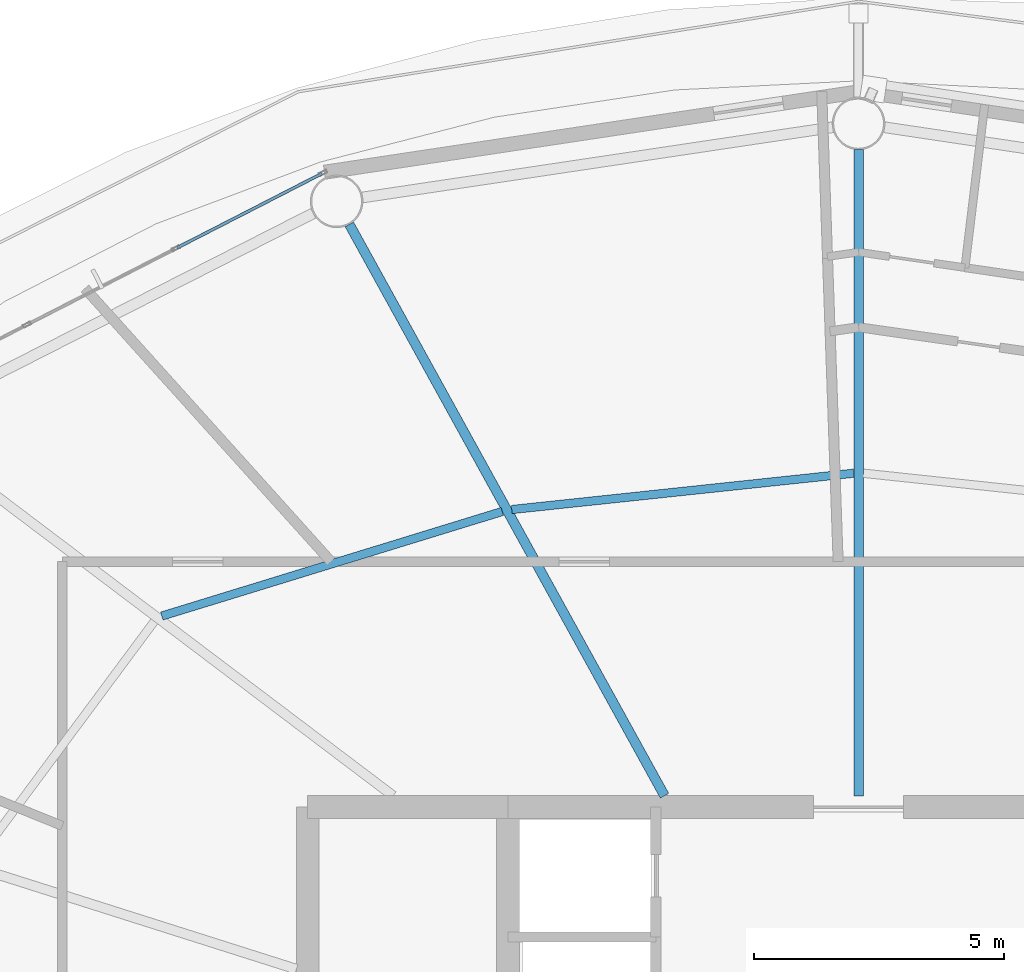
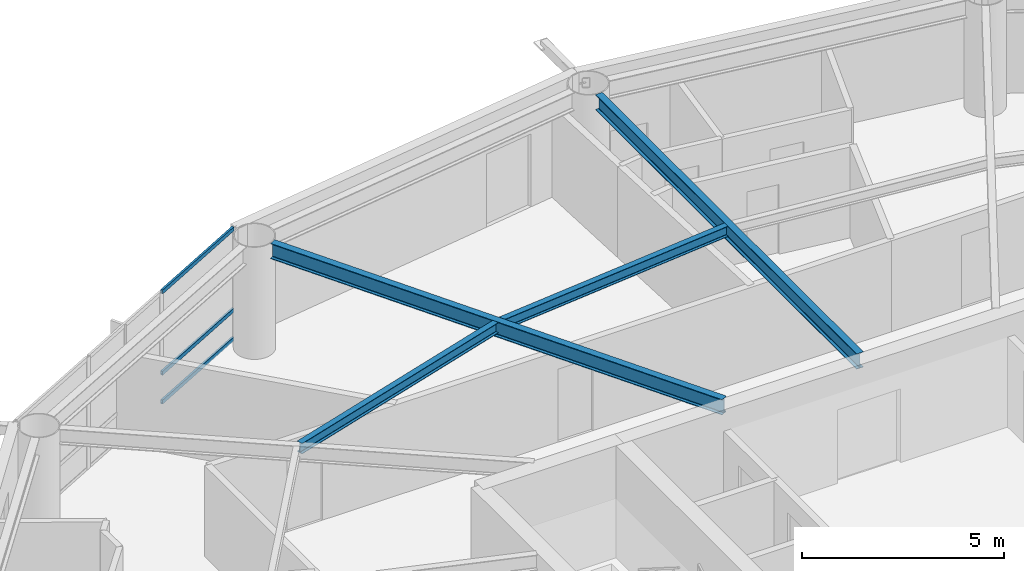
# One storey, part 12 of 30: 4 beams, 3 members, 1 element without a shape of its own.
"""IFC4 building model written with IfcOpenShell, lengths in metres."""

from ifc_helpers import new_model, si_unit, direction, frame, origin, origin_2d, place, context, subcontext, project, spatial, hollow_rectangle, i_section, extrude, material, layer, layer_set, material_profile, profile_set, type_object, element, aggregate, save


model = new_model("IFC4")

# Units and contexts
model_context = context("Model", 3, precision=1e-05, world=origin(), true_north=direction((0.0, 1.0)))
body_context = subcontext(model_context, "Body", "Model", "MODEL_VIEW")
ifc_project = project(units=[si_unit("LENGTHUNIT", "METRE"), si_unit("AREAUNIT", "SQUARE_METRE"), si_unit("VOLUMEUNIT", "CUBIC_METRE"), si_unit("PLANEANGLEUNIT", "RADIAN"), si_unit("MASSUNIT", "GRAM", prefix="KILO")], contexts=[model_context])

# Site, building, storey
site_placement = place(None, origin())
site = spatial("IfcSite", under=ifc_project, at=site_placement, CompositionType="ELEMENT")
building_placement = place(site_placement, origin())
building = spatial("IfcBuilding", under=site, at=building_placement, Name="Sarneth Arch Tower", CompositionType="ELEMENT")
storey_placement = place(building_placement, frame((0.0, 0.0, 161.39990234375)))
storey = spatial("IfcBuildingStorey", under=building, at=storey_placement, Name="L40", CompositionType="ELEMENT", Elevation=161.39990234375)

# Beams
ifc_material_1 = material(Name="Steel S355", Category="steel")
ifc_material_profile_1 = material_profile(ifc_material_1, i_section(OverallWidth=0.1669921875, OverallDepth=0.31689453125, WebThickness=0.007568359375, FlangeThickness=0.01318359375, FilletRadius=0.012939453125, at=origin_2d()), Name="W310x52")
ifc_profile_set_1 = profile_set([ifc_material_profile_1], Name="Steel S355")
beam_type_1 = type_object("IfcBeamType", Name="BM-JOIST-310B", PredefinedType="JOIST", material=ifc_profile_set_1)
beam_1_placement = place(storey_placement, frame((47.904052734375, 55.46484375, 3.2216796875), z_axis=(-0.994407831942, -0.105608066799, 0.0), x_axis=(0.105608066799, -0.994407831942, 0.0)))
element("IfcBeam", 1, at=beam_1_placement, inside=storey, type_object=beam_type_1, Name="L40 Secondary floor joist 05", PredefinedType="JOIST", context=body_context, shape_type="SweptSolid", body=[
    extrude(i_section(OverallWidth=0.1669921875, OverallDepth=0.31689453125, WebThickness=0.007568359375, FlangeThickness=0.01318359375, FilletRadius=0.012939453125, at=origin_2d()), origin(), (0.0, 0.0, 1.0), 6.8681640625),
])
beam_2_placement = place(storey_placement, frame((40.885986328125, 54.700927734375, 3.2216796875), z_axis=(-0.955929549608, -0.293596144707, 0.0), x_axis=(0.293596144707, -0.955929549608, 0.0)))
element("IfcBeam", 2, at=beam_2_placement, inside=storey, type_object=beam_type_1, Name="L40 Secondary floor joist 06", PredefinedType="JOIST", context=body_context, shape_type="SweptSolid", body=[
    extrude(i_section(OverallWidth=0.1669921875, OverallDepth=0.31689453125, WebThickness=0.007568359375, FlangeThickness=0.01318359375, FilletRadius=0.012939453125, at=origin_2d()), origin(), (0.0, 0.0, 1.0), 7.1123046875),
])
ifc_material_2 = material(Name="Steel S355", Category="steel")
ifc_material_profile_2 = material_profile(ifc_material_2, i_section(OverallWidth=0.193115234375, OverallDepth=0.466064453125, WebThickness=0.011474609375, FlangeThickness=0.01904296875, FilletRadius=0.01806640625, at=origin_2d()), Name="W460x97")
ifc_profile_set_2 = profile_set([ifc_material_profile_2], Name="Steel S355")
beam_type_2 = type_object("IfcBeamType", Name="BM-RAD-460C", PredefinedType="BEAM", material=ifc_profile_set_2)
beam_3_placement = place(storey_placement, frame((48.0, 49.02490234375, 3.147216796875), z_axis=(0.0, 1.0, 0.0), x_axis=(-1.0, 0.0, 0.0)))
element("IfcBeam", 3, at=beam_3_placement, inside=storey, type_object=beam_type_2, Name="L40 Radial floor girder 05", PredefinedType="BEAM", context=body_context, shape_type="SweptSolid", body=[
    extrude(i_section(OverallWidth=0.193115234375, OverallDepth=0.466064453125, WebThickness=0.011474609375, FlangeThickness=0.01904296875, FilletRadius=0.01806640625, at=origin_2d()), origin(), (0.0, 0.0, 1.0), 12.900146484375),
])
beam_4_placement = place(storey_placement, frame((44.125, 49.02490234375, 3.147216796875), z_axis=(-0.483004525121, 0.87561785541, 0.0), x_axis=(-0.87561785541, -0.483004525121, 0.0)))
element("IfcBeam", 4, at=beam_4_placement, inside=storey, type_object=beam_type_2, Name="L40 Radial floor girder 06", PredefinedType="BEAM", context=body_context, shape_type="SweptSolid", body=[
    extrude(i_section(OverallWidth=0.193115234375, OverallDepth=0.466064453125, WebThickness=0.011474609375, FlangeThickness=0.01904296875, FilletRadius=0.01806640625, at=origin_2d()), origin(), (0.0, 0.0, 1.0), 13.029296875),
])

# Curtain wall, members
ifc_material_3 = material(Name="Anodised aluminium Type AA25 and solar-control low-e laminated IGU", Category="aluminium")
ifc_layer = layer(ifc_material_3, 0.169921875)
ifc_layer_set = layer_set([ifc_layer], Name="Anodised aluminium Type AA25 and solar-control low-e laminated IGU")
curtain_wall_type = type_object("IfcCurtainWallType", Name="CW-RES-MID", PredefinedType="NOTDEFINED", material=ifc_layer_set)
curtain_wall_placement = place(storey_placement, origin())
curtain_wall = element("IfcCurtainWall", 5, at=curtain_wall_placement, inside=storey, type_object=curtain_wall_type, Name="L40 Unitised curtain wall facet 06", PredefinedType="NOTDEFINED")
ifc_material_4 = material(Name="Anodised Aluminium 6063-T6", Category="aluminium")
ifc_material_profile_3 = material_profile(ifc_material_4, hollow_rectangle(XDim=0.06005859375, YDim=0.1201171875, WallThickness=0.00390625, at=origin_2d()), Name="AL-TRAN-120x60x4")
ifc_profile_set_3 = profile_set([ifc_material_profile_3], Name="Anodised Aluminium 6063-T6")
member_type = type_object("IfcMemberType", Name="CW-TRANSOM", PredefinedType="USERDEFINED", material=ifc_profile_set_3)
member_1_placement = place(storey_placement, frame((37.28369140625, 61.447998046875, 0.030029296875), z_axis=(-0.889857362344, -0.456238835131, 0.0), x_axis=(0.456238835131, -0.889857362344, 0.0)))
member_1 = element("IfcMember", 6, at=member_1_placement, type_object=member_type, Name="CW-SYS-5 transom 1.1", ObjectType="TRANSOM", PredefinedType="USERDEFINED", context=body_context, shape_type="SweptSolid", body=[
    extrude(hollow_rectangle(XDim=0.06005859375, YDim=0.1201171875, WallThickness=0.00390625, at=origin_2d()), origin(), (0.0, 0.0, 1.0), 3.248779296875),
])
member_2_placement = place(storey_placement, frame((37.28369140625, 61.447998046875, 0.900146484375), z_axis=(-0.889857362344, -0.456238835131, 0.0), x_axis=(0.456238835131, -0.889857362344, 0.0)))
member_2 = element("IfcMember", 7, at=member_2_placement, type_object=member_type, Name="CW-SYS-5 transom 1.2", ObjectType="TRANSOM", PredefinedType="USERDEFINED", context=body_context, shape_type="SweptSolid", body=[
    extrude(hollow_rectangle(XDim=0.06005859375, YDim=0.1201171875, WallThickness=0.00390625, at=origin_2d()), origin(), (0.0, 0.0, 1.0), 3.248779296875),
])
member_3_placement = place(storey_placement, frame((37.28369140625, 61.447998046875, 3.35009765625), z_axis=(-0.889857362344, -0.456238835131, 0.0), x_axis=(0.456238835131, -0.889857362344, 0.0)))
member_3 = element("IfcMember", 8, at=member_3_placement, type_object=member_type, Name="CW-SYS-5 transom 1.3", ObjectType="TRANSOM", PredefinedType="USERDEFINED", context=body_context, shape_type="SweptSolid", body=[
    extrude(hollow_rectangle(XDim=0.06005859375, YDim=0.1201171875, WallThickness=0.00390625, at=origin_2d()), origin(), (0.0, 0.0, 1.0), 3.248779296875),
])
aggregate(curtain_wall, [member_1, member_2, member_3])

save(model, "model.ifc")
